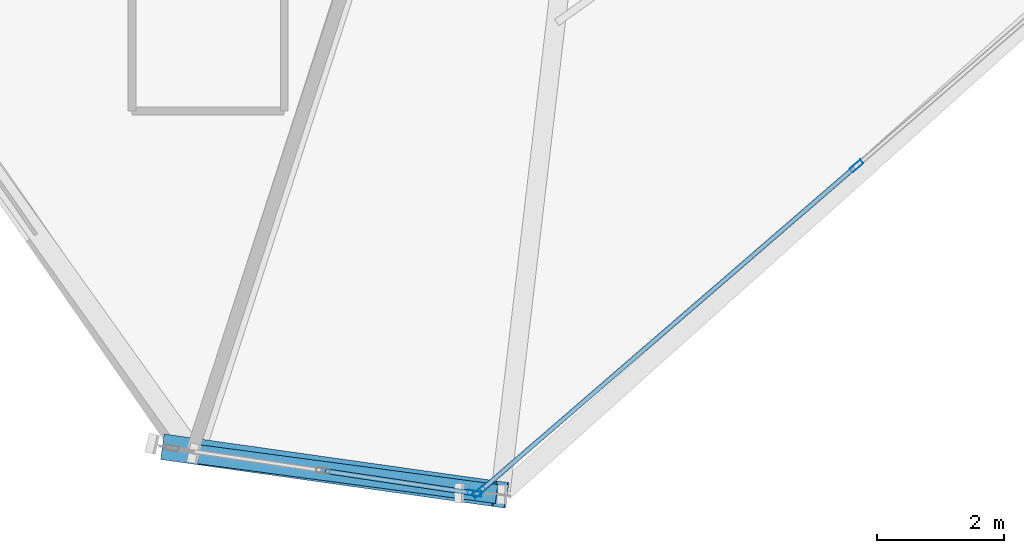
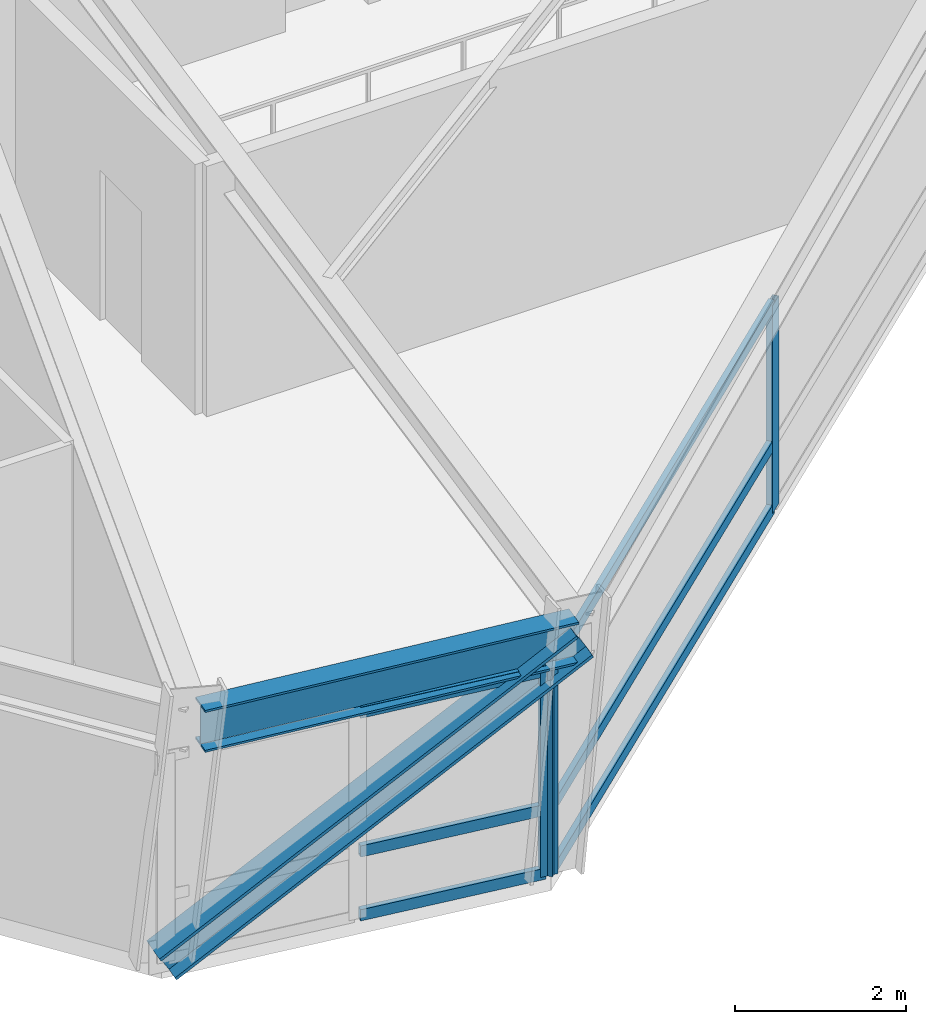
# One storey, part 3 of 16: 10 members, 1 beam, 2 elements without a shape of their own.
"""IFC4 building model written with IfcOpenShell, lengths in metres."""

import ifcopenshell
import ifcopenshell.guid

model = None  # the IFC model being written
_history = None  # IfcOwnerHistory: only IFC2X3 demands one
_inside = {}  # id of a spatial element -> (the spatial element, [elements in it])
_under = {}  # id of a project, library or spatial element -> (it, [spatial elements below it])
_declared = {}  # id of a project -> (the project, [libraries it declares])
_typed = {}  # id of a type object -> (the type object, [elements of that type])
_made_of = {}  # id of a material, layer set ... -> (it, [elements and type objects made of it])


def new_model(schema):
    """Start an empty IFC model of exactly this schema.

    Asked for "IFC4X3", IfcOpenShell would pick the latest addendum, in which some entities
    have other attributes; the version numbers below select the first issue.
    IFC2X3 requires an IfcOwnerHistory on every rooted entity: one is made here for all.
    """
    global model, _history
    if schema == "IFC4X3":
        model = ifcopenshell.file(schema_version=(4, 3, 0, 0))
    else:
        model = ifcopenshell.file(schema=schema)
    _inside.clear()
    _under.clear()
    _declared.clear()
    _typed.clear()
    _made_of.clear()
    _history = None
    if model.schema == "IFC2X3":
        org = make("IfcOrganization", Name="unknown")
        user = make(
            "IfcPersonAndOrganization",
            ThePerson=make("IfcPerson", FamilyName="unknown"),
            TheOrganization=org,
        )
        app = make(
            "IfcApplication",
            ApplicationDeveloper=org,
            Version="unknown",
            ApplicationFullName="unknown",
            ApplicationIdentifier="unknown",
        )
        _history = make(
            "IfcOwnerHistory",
            OwningUser=user,
            OwningApplication=app,
            ChangeAction="ADDED",
            CreationDate=0,
        )
    return model


def make(cls, **values):
    """One entity of the class cls with the attributes given. An attribute that is None is left unset."""
    return model.create_entity(
        cls, **{name: value for name, value in values.items() if value is not None}
    )


def rooted(cls, **values):
    """An entity with a GlobalId (a new one), such as an element, a storey or a relation."""
    return make(cls, GlobalId=ifcopenshell.guid.new(), OwnerHistory=_history, **values)


def si_unit(unit_type, name, prefix=None):
    """IfcSIUnit, for example si_unit("LENGTHUNIT", "METRE", prefix="MILLI")."""
    return make("IfcSIUnit", UnitType=unit_type, Prefix=prefix, Name=name)


def assignment(units):
    """IfcUnitAssignment: the units of a project."""
    return None if units is None else make("IfcUnitAssignment", Units=units)


def point(xyz):
    """IfcCartesianPoint."""
    return None if xyz is None else make("IfcCartesianPoint", Coordinates=xyz)


def direction(xyz):
    """IfcDirection."""
    return None if xyz is None else make("IfcDirection", DirectionRatios=xyz)


def frame(location, z_axis=None, x_axis=None):
    """IfcAxis2Placement3D, a coordinate frame: its origin and axes. An axis left out is left unset."""
    return make(
        "IfcAxis2Placement3D",
        Location=point(location),
        Axis=direction(z_axis),
        RefDirection=direction(x_axis),
    )


def frame_2d(location, x_axis=None):
    """IfcAxis2Placement2D, a coordinate frame in the plane: its origin and x axis."""
    return make(
        "IfcAxis2Placement2D", Location=point(location), RefDirection=direction(x_axis)
    )


def origin():
    """The frame at (0, 0, 0) with its axes left unset."""
    return frame((0.0, 0.0, 0.0))


def origin_2d():
    """The frame at (0, 0) in the plane with its x axis left unset."""
    return frame_2d((0.0, 0.0))


def place(relative_to, where):
    """IfcLocalPlacement: puts the frame where relative to a parent placement (None: the world)."""
    return make(
        "IfcLocalPlacement", PlacementRelTo=relative_to, RelativePlacement=where
    )


def context(
    kind, dimensions, precision=None, world=None, true_north=None, identifier=None
):
    """IfcGeometricRepresentationContext, for example the 3D "Model" context."""
    return make(
        "IfcGeometricRepresentationContext",
        ContextIdentifier=identifier,
        ContextType=kind,
        CoordinateSpaceDimension=dimensions,
        Precision=precision,
        WorldCoordinateSystem=world,
        TrueNorth=true_north,
    )


def subcontext(parent, identifier, kind, view, scale=None):
    """IfcGeometricRepresentationSubContext, for example "Body" below "Model"."""
    return make(
        "IfcGeometricRepresentationSubContext",
        ContextIdentifier=identifier,
        ContextType=kind,
        ParentContext=parent,
        TargetScale=scale,
        TargetView=view,
    )


def project(units=None, contexts=None):
    """IfcProject with its units and contexts."""
    return rooted(
        "IfcProject",
        Name="project",
        RepresentationContexts=contexts,
        UnitsInContext=assignment(units),
    )


def spatial(cls, under=None, at=None, **own):
    """A site, building, storey or space (cls), placed at a placement, below another one or the project."""
    s = rooted(cls, ObjectPlacement=at, **own)
    if under is not None:
        _under.setdefault(under.id(), (under, []))[1].append(s)
    return s


def profile(cls, at=None, kind="AREA", **sizes):
    """A parametric profile (cls). Its sizes go by their IFC names, for example OverallWidth=200.0."""
    return make(cls, ProfileType=kind, Position=at, **sizes)


def hollow_rectangle(**sizes):
    """IfcRectangleHollowProfileDef."""
    return profile("IfcRectangleHollowProfileDef", **sizes)


def i_section(**sizes):
    """IfcIShapeProfileDef."""
    return profile("IfcIShapeProfileDef", **sizes)


def extrude(swept, where, along, depth):
    """IfcExtrudedAreaSolid: the profile swept, set in the frame where, extruded along a direction by depth."""
    return make(
        "IfcExtrudedAreaSolid",
        SweptArea=swept,
        Position=where,
        ExtrudedDirection=direction(along),
        Depth=depth,
    )


def shape(context_of_items, identifier, shape_type, items):
    """IfcShapeRepresentation: the items that make up one representation, for example the "Body"."""
    return make(
        "IfcShapeRepresentation",
        ContextOfItems=context_of_items,
        RepresentationIdentifier=identifier,
        RepresentationType=shape_type,
        Items=items,
    )


def source(mapping_origin, context_of_items, identifier, shape_type, items):
    """IfcRepresentationMap: a shape defined once, which mapped items show again and again."""
    return make(
        "IfcRepresentationMap",
        MappingOrigin=mapping_origin,
        MappedRepresentation=shape(context_of_items, identifier, shape_type, items),
    )


def transform(
    local_origin,
    x_axis=None,
    y_axis=None,
    z_axis=None,
    scale=None,
    scale2=None,
    scale3=None,
    uniform=True,
):
    """IfcCartesianTransformationOperator3D, or its non-uniform kind. x_axis, y_axis, z_axis: its Axis1, 2, 3."""
    if uniform:
        return make(
            "IfcCartesianTransformationOperator3D",
            Axis1=direction(x_axis),
            Axis2=direction(y_axis),
            LocalOrigin=point(local_origin),
            Scale=scale,
            Axis3=direction(z_axis),
        )
    return make(
        "IfcCartesianTransformationOperator3DnonUniform",
        Axis1=direction(x_axis),
        Axis2=direction(y_axis),
        LocalOrigin=point(local_origin),
        Scale=scale,
        Axis3=direction(z_axis),
        Scale2=scale2,
        Scale3=scale3,
    )


def mapped(mapping_source, mapping_target):
    """IfcMappedItem: shows the shape of a source again, moved by a transform."""
    return make(
        "IfcMappedItem", MappingSource=mapping_source, MappingTarget=mapping_target
    )


def material(Name=None, Category=None):
    """IfcMaterial."""
    return make("IfcMaterial", Name=Name, Category=Category)


def material_profile(
    of_material, cross_section, Name=None, Category=None, Priority=None
):
    """IfcMaterialProfile: a cross section and its material."""
    return make(
        "IfcMaterialProfile",
        Name=Name,
        Material=of_material,
        Profile=cross_section,
        Priority=Priority,
        Category=Category,
    )


def profile_set(profiles, Name=None, composite=None):
    """IfcMaterialProfileSet."""
    return make(
        "IfcMaterialProfileSet",
        Name=Name,
        MaterialProfiles=profiles,
        CompositeProfile=composite,
    )


def made_of(thing, what):
    """Note that an element or type object is made of a material, layer set ...; save() writes the relation."""
    if what is not None:
        _made_of.setdefault(what.id(), (what, []))[1].append(thing)
    return thing


def type_object(cls, material=None, **own):
    """A type object (cls), such as IfcWallType, which elements share."""
    return made_of(rooted(cls, **own), material)


def element(
    cls,
    number,
    at=None,
    inside=None,
    cuts=None,
    type_object=None,
    material=None,
    context=None,
    identifier="Body",
    shape_type=None,
    held_by="IfcProductDefinitionShape",
    body=None,
    shapes=None,
    **own,
):
    """One element of the class cls, such as IfcWall. Its Tag is "e" and its number.

    at: its placement. inside: the storey or other place that contains it. cuts: it is an
    opening in that element (IfcRelVoidsElement). A single representation is given by context,
    identifier, shape_type and body (its items); several are given by shapes. held_by: the class
    of the entity that holds the representations. save() writes the other relations.
    """
    e = rooted(cls, Tag="e%d" % number, ObjectPlacement=at, **own)
    if body is not None:
        shapes = [shape(context, identifier, shape_type, body)]
    if shapes is not None:
        e.Representation = make(held_by, Representations=shapes)
    if inside is not None:
        _inside.setdefault(inside.id(), (inside, []))[1].append(e)
    if cuts is not None:
        rooted(
            "IfcRelVoidsElement", RelatingBuildingElement=cuts, RelatedOpeningElement=e
        )
    if type_object is not None:
        _typed.setdefault(type_object.id(), (type_object, []))[1].append(e)
    return made_of(e, material)


def aggregate(whole, parts):
    """IfcRelAggregates: a whole, such as a stair, and the parts it consists of."""
    return rooted("IfcRelAggregates", RelatingObject=whole, RelatedObjects=parts)


def save(model, path):
    """Write the relations noted so far, then the file.

    IfcRelAggregates (storeys below a building ...), IfcRelContainedInSpatialStructure (elements
    in a storey), IfcRelDefinesByType, IfcRelAssociatesMaterial and IfcRelDeclares: one each for
    every whole, place, type object, material and project.
    """
    for whole, parts in _under.values():
        aggregate(whole, parts)
    for where, things in _inside.values():
        rooted(
            "IfcRelContainedInSpatialStructure",
            RelatedElements=things,
            RelatingStructure=where,
        )
    for kind, things in _typed.values():
        rooted("IfcRelDefinesByType", RelatedObjects=things, RelatingType=kind)
    for what, things in _made_of.values():
        rooted("IfcRelAssociatesMaterial", RelatedObjects=things, RelatingMaterial=what)
    for by, libraries in _declared.values():
        rooted("IfcRelDeclares", RelatingContext=by, RelatedDefinitions=libraries)
    model.write(path)


model = new_model("IFC4")

# Units and contexts
model_context = context("Model", 3, precision=1e-05, world=origin(), true_north=direction((0.0, 1.0)))
body_context = subcontext(model_context, "Body", "Model", "MODEL_VIEW")
ifc_project = project(units=[si_unit("LENGTHUNIT", "METRE"), si_unit("AREAUNIT", "SQUARE_METRE"), si_unit("VOLUMEUNIT", "CUBIC_METRE"), si_unit("PLANEANGLEUNIT", "RADIAN"), si_unit("MASSUNIT", "GRAM", prefix="KILO")], contexts=[model_context])

# Site, building, storey
site_placement = place(None, origin())
site = spatial("IfcSite", under=ifc_project, at=site_placement, CompositionType="ELEMENT")
building_placement = place(site_placement, origin())
building = spatial("IfcBuilding", under=site, at=building_placement, Name="Olszyna Solenne Hotel", CompositionType="ELEMENT")
storey_placement = place(building_placement, frame((0.0, 0.0, 138.10009765625)))
storey = spatial("IfcBuildingStorey", under=building, at=storey_placement, Name="L36", CompositionType="ELEMENT", Elevation=138.10009765625)

# Beam
ifc_material_1 = material(Name="Steel S355J2", Category="steel")
ifc_material_profile_1 = material_profile(ifc_material_1, i_section(OverallWidth=0.300048828125, OverallDepth=0.60009765625, WebThickness=0.015380859375, FlangeThickness=0.030029296875, at=origin_2d()), Name="HEB 600", Category="load-bearing")
ifc_profile_set_1 = profile_set([ifc_material_profile_1], Name="Steel S355J2")
beam_type = type_object("IfcBeamType", Name="BM-S2", PredefinedType="BEAM", material=ifc_profile_set_1)
shared_shape_1 = source(origin(), body_context, "Body", "SweptSolid", [
    extrude(i_section(OverallWidth=0.300048828125, OverallDepth=0.60009765625, WebThickness=0.015380859375, FlangeThickness=0.030029296875, at=origin_2d()), origin(), (0.0, 0.0, 1.0), 4.733642578125),
])
beam_placement = place(storey_placement, frame((30.399169921875, 2.98388671875, 3.27978515625), z_axis=(0.991217988309, -0.132238041627, 0.0), x_axis=(0.132238041627, 0.991217988309, 0.0)))
element("IfcBeam", 1, at=beam_placement, inside=storey, type_object=beam_type, Name="Perimeter spandrel beam BM-S2 B-L36-1077", PredefinedType="BEAM", context=body_context, shape_type="MappedRepresentation", body=[
    mapped(shared_shape_1, transform((0.0, 0.0, 0.0), x_axis=(1.0, 0.0, 0.0), y_axis=(0.0, 1.0, 0.0), z_axis=(0.0, 0.0, 1.0), scale=1.0)),
])

# Member
ifc_material_2 = material(Name="Steel S460M", Category="steel")
ifc_material_profile_2 = material_profile(ifc_material_2, i_section(OverallWidth=0.406005859375, OverallDepth=0.416015625, WebThickness=0.026611328125, FlangeThickness=0.04150390625, at=origin_2d()), Name="HD 400x382", Category="load-bearing")
ifc_profile_set_2 = profile_set([ifc_material_profile_2], Name="Steel S460M")
member_type_1 = type_object("IfcMemberType", Name="BR-T2", PredefinedType="BRACE", material=ifc_profile_set_2)
shared_shape_2 = source(origin(), body_context, "Body", "SweptSolid", [
    extrude(i_section(OverallWidth=0.406005859375, OverallDepth=0.416015625, WebThickness=0.026611328125, FlangeThickness=0.04150390625, at=origin_2d()), origin(), (0.0, 0.0, 1.0), 6.1845703125),
])
member_1_placement = place(storey_placement, frame((29.934326171875, 3.086669921875, 0.010009765625), z_axis=(0.843423687025, -0.119135668232, 0.523873244899), x_axis=(0.139864046772, 0.990170716806, 0.0)))
element("IfcMember", 2, at=member_1_placement, inside=storey, type_object=member_type_1, Name="Perimeter braced-tube diagonal BR-T2 BR-L36-3", PredefinedType="BRACE", context=body_context, shape_type="MappedRepresentation", body=[
    mapped(shared_shape_2, transform((0.0, 0.0, 0.0), x_axis=(1.0, 0.0, 0.0), y_axis=(0.0, 1.0, 0.0), z_axis=(0.0, 0.0, 1.0), scale=1.0)),
])

# Curtain wall, members
ifc_material_3 = material(Name="Anodised bronze aluminium", Category="aluminium")
curtain_wall_type = type_object("IfcCurtainWallType", Name="CW-SYS-6", PredefinedType="NOTDEFINED", material=ifc_material_3)
curtain_wall_1_placement = place(storey_placement, origin())
curtain_wall_1 = element("IfcCurtainWall", 3, at=curtain_wall_1_placement, inside=storey, type_object=curtain_wall_type, Name="Unitised curtain wall CW-SYS-6 CW-L36-01", PredefinedType="NOTDEFINED")
ifc_material_profile_3 = material_profile(ifc_material_3, hollow_rectangle(XDim=0.080078125, YDim=0.219970703125, WallThickness=0.0048828125, at=origin_2d()), Name="MULL 220x80x5", Category="load-bearing")
ifc_profile_set_3 = profile_set([ifc_material_profile_3], Name="Anodised bronze aluminium")
member_type_2 = type_object("IfcMemberType", Name="CW-M1", PredefinedType="MULLION", material=ifc_profile_set_3)
shared_shape_3 = source(origin(), body_context, "Body", "SweptSolid", [
    extrude(hollow_rectangle(XDim=0.080078125, YDim=0.219970703125, WallThickness=0.0048828125, at=origin_2d()), origin(), (0.0, 0.0, 1.0), 2.971923828125),
])
member_2_placement = place(storey_placement, frame((34.8154296875, 2.387939453125, 0.0), z_axis=(0.0, 0.0, 1.0), x_axis=(-0.653804894363, 0.756663174805, 0.0)))
member_2 = element("IfcMember", 4, at=member_2_placement, type_object=member_type_2, Name="Curtain-wall mullion CW-M1 CM-L36-01-01", PredefinedType="MULLION", context=body_context, shape_type="MappedRepresentation", body=[
    mapped(shared_shape_3, transform((0.0, 0.0, 0.0), x_axis=(1.0, 0.0, 0.0), y_axis=(0.0, 1.0, 0.0), z_axis=(0.0, 0.0, 1.0), scale=1.0)),
])
member_3_placement = place(storey_placement, frame((40.76123046875, 7.525390625, 0.0), z_axis=(0.0, 0.0, 1.0), x_axis=(-0.653804894363, 0.756663174805, 0.0)))
member_3 = element("IfcMember", 5, at=member_3_placement, type_object=member_type_2, Name="Curtain-wall mullion CW-M1 CM-L36-01-02", PredefinedType="MULLION", context=body_context, shape_type="MappedRepresentation", body=[
    mapped(shared_shape_3, transform((0.0, 0.0, 0.0), x_axis=(1.0, 0.0, 0.0), y_axis=(0.0, 1.0, 0.0), z_axis=(0.0, 0.0, 1.0), scale=1.0)),
])

# Curtain wall, member
curtain_wall_2_placement = place(storey_placement, origin())
curtain_wall_2 = element("IfcCurtainWall", 6, at=curtain_wall_2_placement, inside=storey, type_object=curtain_wall_type, Name="Unitised curtain wall CW-SYS-6 CW-L36-02", PredefinedType="NOTDEFINED")
member_4_placement = place(storey_placement, frame((34.74560546875, 2.36767578125, 0.0), z_axis=(0.0, 0.0, 1.0), x_axis=(0.14779507965, 0.98901800511, 0.0)))
member_4 = element("IfcMember", 7, at=member_4_placement, type_object=member_type_2, Name="Curtain-wall mullion CW-M1 CM-L36-02-03", PredefinedType="MULLION", context=body_context, shape_type="MappedRepresentation", body=[
    mapped(shared_shape_3, transform((0.0, 0.0, 0.0), x_axis=(1.0, 0.0, 0.0), y_axis=(0.0, 1.0, 0.0), z_axis=(0.0, 0.0, 1.0), scale=1.0)),
])

# Member
ifc_material_profile_4 = material_profile(ifc_material_3, hollow_rectangle(XDim=0.074951171875, YDim=0.159912109375, WallThickness=0.00390625, at=origin_2d()), Name="TRAN 160x75x4", Category="load-bearing")
ifc_profile_set_4 = profile_set([ifc_material_profile_4], Name="Anodised bronze aluminium")
member_type_3 = type_object("IfcMemberType", Name="CW-T1", PredefinedType="USERDEFINED", material=ifc_profile_set_4)
shared_shape_4 = source(origin(), body_context, "Body", "SweptSolid", [
    extrude(hollow_rectangle(XDim=0.074951171875, YDim=0.159912109375, WallThickness=0.00390625, at=origin_2d()), origin(), (0.0, 0.0, 1.0), 7.77783203125),
])
member_5_placement = place(storey_placement, frame((34.845703125, 2.4140625, 0.037353515625), z_axis=(0.756664888735, 0.653802910788, 0.0), x_axis=(-0.653802910788, 0.756664888735, 0.0)))
member_5 = element("IfcMember", 8, at=member_5_placement, type_object=member_type_3, Name="Curtain-wall transom CW-T1 CT-L36-01-01", ObjectType="TRANSOM", PredefinedType="USERDEFINED", context=body_context, shape_type="MappedRepresentation", body=[
    mapped(shared_shape_4, transform((0.0, 0.0, 0.0), x_axis=(1.0, 0.0, 0.0), y_axis=(0.0, 1.0, 0.0), z_axis=(0.0, 0.0, 1.0), scale=1.0)),
])

member_6_placement = place(storey_placement, frame((34.845703125, 2.4140625, 0.949951171875), z_axis=(0.756664888735, 0.653802910788, 0.0), x_axis=(-0.653802910788, 0.756664888735, 0.0)))
member_6 = element("IfcMember", 9, at=member_6_placement, type_object=member_type_3, Name="Curtain-wall transom CW-T1 CT-L36-01-02", ObjectType="TRANSOM", PredefinedType="USERDEFINED", context=body_context, shape_type="MappedRepresentation", body=[
    mapped(shared_shape_4, transform((0.0, 0.0, 0.0), x_axis=(1.0, 0.0, 0.0), y_axis=(0.0, 1.0, 0.0), z_axis=(0.0, 0.0, 1.0), scale=1.0)),
])

member_7_placement = place(storey_placement, frame((34.845703125, 2.4140625, 2.934326171875), z_axis=(0.756664888735, 0.653802910788, 0.0), x_axis=(-0.653802910788, 0.756664888735, 0.0)))
member_7 = element("IfcMember", 10, at=member_7_placement, type_object=member_type_3, Name="Curtain-wall transom CW-T1 CT-L36-01-03", ObjectType="TRANSOM", PredefinedType="USERDEFINED", context=body_context, shape_type="MappedRepresentation", body=[
    mapped(shared_shape_4, transform((0.0, 0.0, 0.0), x_axis=(1.0, 0.0, 0.0), y_axis=(0.0, 1.0, 0.0), z_axis=(0.0, 0.0, 1.0), scale=1.0)),
])

aggregate(curtain_wall_1, [member_2, member_3, member_5, member_6, member_7])

shared_shape_5 = source(origin(), body_context, "Body", "SweptSolid", [
    extrude(hollow_rectangle(XDim=0.074951171875, YDim=0.159912109375, WallThickness=0.00390625, at=origin_2d()), origin(), (0.0, 0.0, 1.0), 2.332275390625),
])
member_8_placement = place(storey_placement, frame((32.3994140625, 2.71826171875, 0.037353515625), z_axis=(0.989016063226, -0.147808073801, 0.0), x_axis=(0.147808073801, 0.989016063226, 0.0)))
member_8 = element("IfcMember", 11, at=member_8_placement, type_object=member_type_3, Name="Curtain-wall transom CW-T1 CT-L36-02-04", ObjectType="TRANSOM", PredefinedType="USERDEFINED", context=body_context, shape_type="MappedRepresentation", body=[
    mapped(shared_shape_5, transform((0.0, 0.0, 0.0), x_axis=(1.0, 0.0, 0.0), y_axis=(0.0, 1.0, 0.0), z_axis=(0.0, 0.0, 1.0), scale=1.0)),
])

member_9_placement = place(storey_placement, frame((32.3994140625, 2.71826171875, 0.949951171875), z_axis=(0.989016063226, -0.147808073801, 0.0), x_axis=(0.147808073801, 0.989016063226, 0.0)))
member_9 = element("IfcMember", 12, at=member_9_placement, type_object=member_type_3, Name="Curtain-wall transom CW-T1 CT-L36-02-05", ObjectType="TRANSOM", PredefinedType="USERDEFINED", context=body_context, shape_type="MappedRepresentation", body=[
    mapped(shared_shape_5, transform((0.0, 0.0, 0.0), x_axis=(1.0, 0.0, 0.0), y_axis=(0.0, 1.0, 0.0), z_axis=(0.0, 0.0, 1.0), scale=1.0)),
])

member_10_placement = place(storey_placement, frame((32.3994140625, 2.71826171875, 2.934326171875), z_axis=(0.989016063226, -0.147808073801, 0.0), x_axis=(0.147808073801, 0.989016063226, 0.0)))
member_10 = element("IfcMember", 13, at=member_10_placement, type_object=member_type_3, Name="Curtain-wall transom CW-T1 CT-L36-02-06", ObjectType="TRANSOM", PredefinedType="USERDEFINED", context=body_context, shape_type="MappedRepresentation", body=[
    mapped(shared_shape_5, transform((0.0, 0.0, 0.0), x_axis=(1.0, 0.0, 0.0), y_axis=(0.0, 1.0, 0.0), z_axis=(0.0, 0.0, 1.0), scale=1.0)),
])

aggregate(curtain_wall_2, [member_4, member_8, member_9, member_10])

save(model, "model.ifc")
